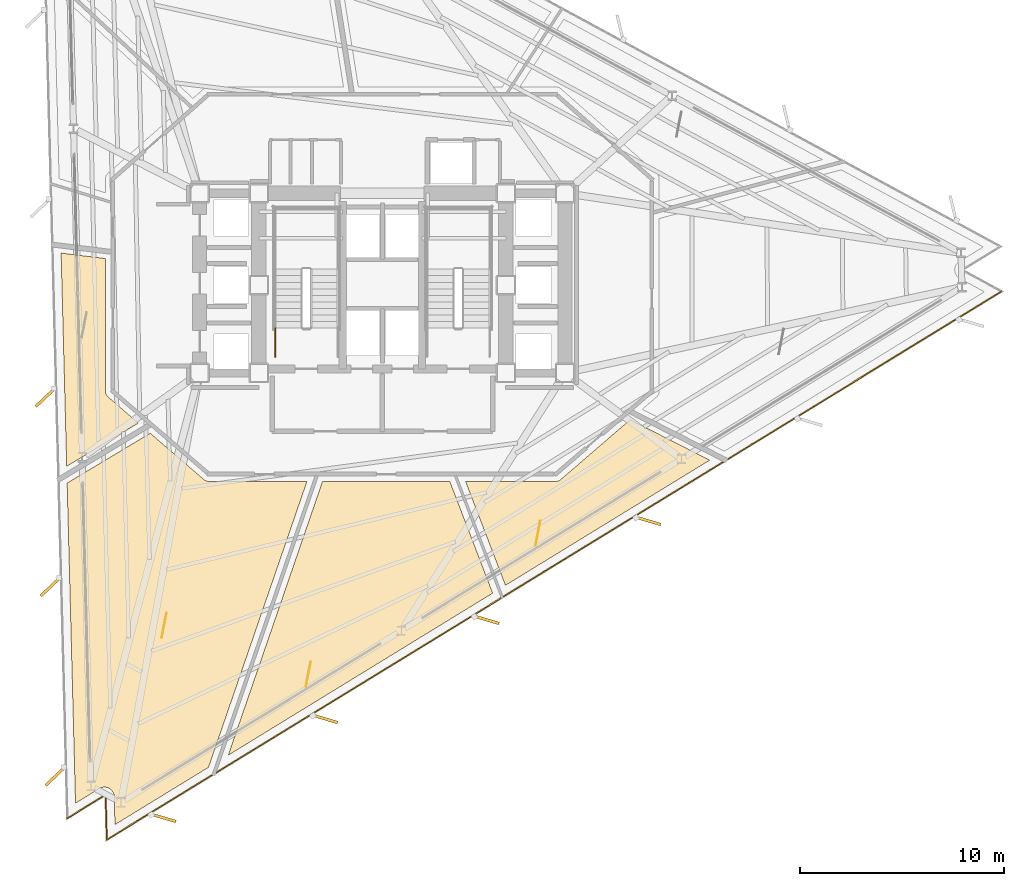
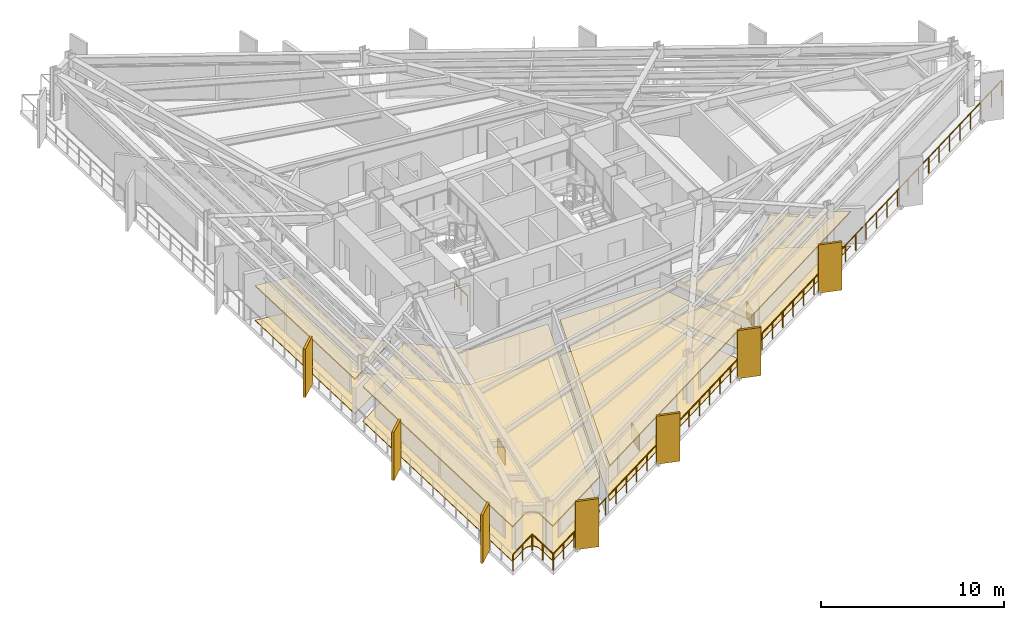
# One storey, part 10 of 14: 11 coverings, 7 shading devices, 2 railings.
"""IFC4 building model written with IfcOpenShell, lengths in metres."""

from ifc_helpers import new_model, si_unit, direction, frame, origin, origin_2d, place, context, subcontext, project, spatial, polyline, rectangle, outline, extrude, material, layer, layer_set, type_object, element, save


model = new_model("IFC4")

# Units and contexts
model_context = context("Model", 3, precision=1e-05, world=origin(), true_north=direction((0.0, 1.0)))
body_context = subcontext(model_context, "Body", "Model", "MODEL_VIEW")
ifc_project = project(units=[si_unit("LENGTHUNIT", "METRE"), si_unit("AREAUNIT", "SQUARE_METRE"), si_unit("VOLUMEUNIT", "CUBIC_METRE"), si_unit("PLANEANGLEUNIT", "RADIAN"), si_unit("MASSUNIT", "GRAM", prefix="KILO")], contexts=[model_context])

# Site, building, storey
site_placement = place(None, origin())
site = spatial("IfcSite", under=ifc_project, at=site_placement, CompositionType="ELEMENT")
building_placement = place(site_placement, origin())
building = spatial("IfcBuilding", under=site, at=building_placement, Name="Rocaltana Carrier Exchange", CompositionType="ELEMENT")
storey_placement = place(building_placement, frame((0.0, 0.0, 32.320068359375)))
storey = spatial("IfcBuildingStorey", under=building, at=storey_placement, Name="L10", CompositionType="ELEMENT", Elevation=32.320068359375)

# Coverings
ifc_material_1 = material(Name="Honed Bogota Sandstone Tile", Category="masonry")
ifc_layer_1 = layer(ifc_material_1, 0.0400390625)
ifc_layer_set_1 = layer_set([ifc_layer_1], Name="Honed Bogota Sandstone Tile")
covering_type_1 = type_object("IfcCoveringType", Name="Honed Stone Lobby Flooring 40", PredefinedType="FLOORING", material=ifc_layer_set_1)
covering_1_placement = place(storey_placement, origin())
element("IfcCovering", 1, at=covering_1_placement, inside=storey, type_object=covering_type_1, Name="L10 Peering Conference Room Finish Floor", PredefinedType="FLOORING", context=body_context, shape_type="SweptSolid", body=[
    extrude(outline(polyline([(-15.732177734375, 1.569091796875), (-13.56005859375, 1.30224609375), (-13.56005859375, -5.199951171875), (-13.559814453125, -5.21337890625), (-13.559326171875, -5.220947265625), (-13.556884765625, -5.24755859375), (-13.5556640625, -5.255126953125), (-13.550537109375, -5.281494140625), (-13.548828125, -5.288818359375), (-13.541259765625, -5.314453125), (-13.538818359375, -5.32177734375), (-13.52880859375, -5.346435546875), (-13.525634765625, -5.353515625), (-13.51318359375, -5.377197265625), (-13.509521484375, -5.3837890625), (-13.4951171875, -5.40625), (-13.490478515625, -5.41259765625), (-13.47412109375, -5.433349609375), (-13.468994140625, -5.439208984375), (-13.450439453125, -5.45849609375), (-13.44482421875, -5.4638671875), (-13.43505859375, -5.47265625), (-11.944580078125, -6.757080078125), (-15.458984375, -8.86865234375), (-15.732177734375, 1.569091796875)])), origin(), (0.0, 0.0, 1.0), 0.0400390625),
])
covering_2_placement = place(storey_placement, origin())
element("IfcCovering", 2, at=covering_2_placement, inside=storey, type_object=covering_type_1, Name="L10 Incident Briefing Room Finish Floor", PredefinedType="FLOORING", context=body_context, shape_type="SweptSolid", body=[
    extrude(outline(polyline([(-13.12939453125, -25.05224609375), (-13.1298828125, -25.038330078125), (-13.131591796875, -25.018310546875), (-13.135009765625, -24.99072265625), (-13.138427734375, -24.97119140625), (-13.144775390625, -24.94384765625), (-13.150146484375, -24.9248046875), (-13.1591796875, -24.898193359375), (-13.16650390625, -24.879638671875), (-13.177978515625, -24.854248046875), (-13.18701171875, -24.83642578125), (-13.200927734375, -24.8125), (-13.2119140625, -24.795654296875), (-13.228271484375, -24.77294921875), (-13.240478515625, -24.75732421875), (-13.259033203125, -24.736572265625), (-13.273193359375, -24.722412109375), (-13.29345703125, -24.703369140625), (-13.308837890625, -24.6904296875), (-13.3310546875, -24.673583984375), (-13.34765625, -24.66259765625), (-13.371337890625, -24.64794921875), (-13.388916015625, -24.638427734375), (-13.4140625, -24.626220703125), (-13.4326171875, -24.61865234375), (-13.458740234375, -24.609130859375), (-13.477783203125, -24.603271484375), (-13.5048828125, -24.596435546875), (-13.5244140625, -24.592529296875), (-13.552001953125, -24.58837890625), (-13.57177734375, -24.58642578125), (-13.599609375, -24.5849609375), (-13.61962890625, -24.585205078125), (-13.6474609375, -24.58642578125), (-13.66748046875, -24.58837890625), (-13.695068359375, -24.5927734375), (-13.714599609375, -24.5966796875), (-13.74169921875, -24.603515625), (-13.760498046875, -24.609619140625), (-13.786865234375, -24.619140625), (-13.80517578125, -24.626708984375), (-13.830322265625, -24.638916015625), (-13.847900390625, -24.6484375), (-13.85986328125, -24.655517578125), (-15.02685546875, -25.37060546875), (-15.437255859375, -9.695556640625), (-11.3701171875, -7.251953125), (-8.735107421875, -9.522705078125), (-8.72412109375, -9.53173828125), (-8.717529296875, -9.53662109375), (-8.6943359375, -9.552978515625), (-8.6875, -9.557373046875), (-8.66259765625, -9.571044921875), (-8.6552734375, -9.57470703125), (-8.629150390625, -9.5859375), (-8.62158203125, -9.5888671875), (-8.594482421875, -9.597412109375), (-8.58642578125, -9.599365234375), (-8.55859375, -9.60498046875), (-8.550537109375, -9.606201171875), (-8.522216796875, -9.609130859375), (-8.51416015625, -9.609619140625), (-8.5, -9.610107421875), (-3.689697265625, -9.610107421875), (-8.510986328125, -23.6123046875), (-13.093505859375, -26.42041015625), (-13.12939453125, -25.05224609375)])), origin(), (0.0, 0.0, 1.0), 0.0400390625),
])
covering_3_placement = place(storey_placement, origin())
element("IfcCovering", 3, at=covering_3_placement, inside=storey, type_object=covering_type_1, Name="L10 Peering Conference Room Finish Floor", PredefinedType="FLOORING", context=body_context, shape_type="SweptSolid", body=[
    extrude(outline(polyline([(-7.5458984375, -23.02099609375), (-2.92822265625, -9.610107421875), (3.30322265625, -9.610107421875), (5.40478515625, -15.084716796875), (-7.5458984375, -23.02099609375)])), origin(), (0.0, 0.0, 1.0), 0.0400390625),
])
covering_4_placement = place(storey_placement, origin())
element("IfcCovering", 4, at=covering_4_placement, inside=storey, type_object=covering_type_1, Name="L10 Optical Switching Laboratory Finish Floor", PredefinedType="FLOORING", context=body_context, shape_type="SweptSolid", body=[
    extrude(outline(polyline([(6.029296875, -14.7021484375), (4.074462890625, -9.610107421875), (8.5, -9.610107421875), (8.51416015625, -9.609619140625), (8.522216796875, -9.609130859375), (8.550537109375, -9.606201171875), (8.55859375, -9.60498046875), (8.58642578125, -9.599365234375), (8.594482421875, -9.597412109375), (8.62158203125, -9.5888671875), (8.629150390625, -9.5859375), (8.6552734375, -9.57470703125), (8.66259765625, -9.571044921875), (8.6875, -9.557373046875), (8.6943359375, -9.552978515625), (8.717529296875, -9.53662109375), (8.72412109375, -9.53173828125), (8.735107421875, -9.522705078125), (12.13916015625, -6.58935546875), (16.031494140625, -8.572509765625), (6.029296875, -14.7021484375)])), origin(), (0.0, 0.0, 1.0), 0.0400390625),
])
ifc_material_2 = material(Name="Anodised Aluminium 6063-T6", Category="aluminium")
ifc_layer_2 = layer(ifc_material_2, 0.0849609375)
ifc_layer_set_2 = layer_set([ifc_layer_2], Name="Anodised Aluminium 6063-T6")
covering_type_2 = type_object("IfcCoveringType", Name="Linear Baffle Acoustic Ceiling 85", PredefinedType="CEILING", material=ifc_layer_set_2)
covering_5_placement = place(storey_placement, frame((0.0, 0.0, 2.282958984375)))
element("IfcCovering", 5, at=covering_5_placement, inside=storey, type_object=covering_type_2, Name="L10 Peering Conference Room Acoustic Ceiling", PredefinedType="CEILING", context=body_context, shape_type="SweptSolid", body=[
    extrude(outline(polyline([(-15.732177734375, 1.569091796875), (-13.56005859375, 1.30224609375), (-13.56005859375, -5.199951171875), (-13.559814453125, -5.21337890625), (-13.559326171875, -5.220947265625), (-13.556884765625, -5.24755859375), (-13.5556640625, -5.255126953125), (-13.550537109375, -5.281494140625), (-13.548828125, -5.288818359375), (-13.541259765625, -5.314453125), (-13.538818359375, -5.32177734375), (-13.52880859375, -5.346435546875), (-13.525634765625, -5.353515625), (-13.51318359375, -5.377197265625), (-13.509521484375, -5.3837890625), (-13.4951171875, -5.40625), (-13.490478515625, -5.41259765625), (-13.47412109375, -5.433349609375), (-13.468994140625, -5.439208984375), (-13.450439453125, -5.45849609375), (-13.44482421875, -5.4638671875), (-13.43505859375, -5.47265625), (-11.944580078125, -6.757080078125), (-15.458984375, -8.86865234375), (-15.732177734375, 1.569091796875)])), origin(), (0.0, 0.0, 1.0), 0.0849609375),
])
covering_6_placement = place(storey_placement, frame((0.0, 0.0, 2.282958984375)))
element("IfcCovering", 6, at=covering_6_placement, inside=storey, type_object=covering_type_2, Name="L10 Incident Briefing Room Acoustic Ceiling", PredefinedType="CEILING", context=body_context, shape_type="SweptSolid", body=[
    extrude(outline(polyline([(-13.12939453125, -25.05224609375), (-13.1298828125, -25.038330078125), (-13.131591796875, -25.018310546875), (-13.135009765625, -24.99072265625), (-13.138427734375, -24.97119140625), (-13.144775390625, -24.94384765625), (-13.150146484375, -24.9248046875), (-13.1591796875, -24.898193359375), (-13.16650390625, -24.879638671875), (-13.177978515625, -24.854248046875), (-13.18701171875, -24.83642578125), (-13.200927734375, -24.8125), (-13.2119140625, -24.795654296875), (-13.228271484375, -24.77294921875), (-13.240478515625, -24.75732421875), (-13.259033203125, -24.736572265625), (-13.273193359375, -24.722412109375), (-13.29345703125, -24.703369140625), (-13.308837890625, -24.6904296875), (-13.3310546875, -24.673583984375), (-13.34765625, -24.66259765625), (-13.371337890625, -24.64794921875), (-13.388916015625, -24.638427734375), (-13.4140625, -24.626220703125), (-13.4326171875, -24.61865234375), (-13.458740234375, -24.609130859375), (-13.477783203125, -24.603271484375), (-13.5048828125, -24.596435546875), (-13.5244140625, -24.592529296875), (-13.552001953125, -24.58837890625), (-13.57177734375, -24.58642578125), (-13.599609375, -24.5849609375), (-13.61962890625, -24.585205078125), (-13.6474609375, -24.58642578125), (-13.66748046875, -24.58837890625), (-13.695068359375, -24.5927734375), (-13.714599609375, -24.5966796875), (-13.74169921875, -24.603515625), (-13.760498046875, -24.609619140625), (-13.786865234375, -24.619140625), (-13.80517578125, -24.626708984375), (-13.830322265625, -24.638916015625), (-13.847900390625, -24.6484375), (-13.85986328125, -24.655517578125), (-15.02685546875, -25.37060546875), (-15.437255859375, -9.695556640625), (-11.3701171875, -7.251953125), (-8.735107421875, -9.522705078125), (-8.72412109375, -9.53173828125), (-8.717529296875, -9.53662109375), (-8.6943359375, -9.552978515625), (-8.6875, -9.557373046875), (-8.66259765625, -9.571044921875), (-8.6552734375, -9.57470703125), (-8.629150390625, -9.5859375), (-8.62158203125, -9.5888671875), (-8.594482421875, -9.597412109375), (-8.58642578125, -9.599365234375), (-8.55859375, -9.60498046875), (-8.550537109375, -9.606201171875), (-8.522216796875, -9.609130859375), (-8.51416015625, -9.609619140625), (-8.5, -9.610107421875), (-3.689697265625, -9.610107421875), (-8.510986328125, -23.6123046875), (-13.093505859375, -26.42041015625), (-13.12939453125, -25.05224609375)])), origin(), (0.0, 0.0, 1.0), 0.0849609375),
])
covering_7_placement = place(storey_placement, frame((0.0, 0.0, 2.282958984375)))
element("IfcCovering", 7, at=covering_7_placement, inside=storey, type_object=covering_type_2, Name="L10 Peering Conference Room Acoustic Ceiling", PredefinedType="CEILING", context=body_context, shape_type="SweptSolid", body=[
    extrude(outline(polyline([(-7.5458984375, -23.02099609375), (-2.92822265625, -9.610107421875), (3.30322265625, -9.610107421875), (5.40478515625, -15.084716796875), (-7.5458984375, -23.02099609375)])), origin(), (0.0, 0.0, 1.0), 0.0849609375),
])
covering_8_placement = place(storey_placement, frame((0.0, 0.0, 2.282958984375)))
element("IfcCovering", 8, at=covering_8_placement, inside=storey, type_object=covering_type_2, Name="L10 Optical Switching Laboratory Acoustic Ceiling", PredefinedType="CEILING", context=body_context, shape_type="SweptSolid", body=[
    extrude(outline(polyline([(6.029296875, -14.7021484375), (4.074462890625, -9.610107421875), (8.5, -9.610107421875), (8.51416015625, -9.609619140625), (8.522216796875, -9.609130859375), (8.550537109375, -9.606201171875), (8.55859375, -9.60498046875), (8.58642578125, -9.599365234375), (8.594482421875, -9.597412109375), (8.62158203125, -9.5888671875), (8.629150390625, -9.5859375), (8.6552734375, -9.57470703125), (8.66259765625, -9.571044921875), (8.6875, -9.557373046875), (8.6943359375, -9.552978515625), (8.717529296875, -9.53662109375), (8.72412109375, -9.53173828125), (8.735107421875, -9.522705078125), (12.13916015625, -6.58935546875), (16.031494140625, -8.572509765625), (6.029296875, -14.7021484375)])), origin(), (0.0, 0.0, 1.0), 0.0849609375),
])

# Railing
ifc_material_3 = material(Name="Powder-Coated Aluminium 6063-T6", Category="aluminium")
ifc_layer_3 = layer(ifc_material_3, 0.048095703125)
ifc_layer_set_3 = layer_set([ifc_layer_3], Name="Powder-Coated Aluminium 6063-T6")
railing_type_1 = type_object("IfcRailingType", Name="Stair Well Guardrail 1100", PredefinedType="GUARDRAIL", material=ifc_layer_set_3)
railing_1_placement = place(storey_placement, frame((-5.25, -3.5, 0.0)))
element("IfcRailing", 9, at=railing_1_placement, inside=storey, type_object=railing_type_1, Name="L10 ST-1 stair guard 9", PredefinedType="GUARDRAIL", context=body_context, shape_type="SweptSolid", body=[
    extrude(rectangle(XDim=0.048095703125, YDim=0.048095703125, at=origin_2d()), frame((0.0, 0.0, 1.076171875), z_axis=(0.0, 1.0, 0.0), x_axis=(-1.0, 0.0, 0.0)), (0.0, 0.0, 1.0), 1.39990234375),
    extrude(rectangle(XDim=0.0419921875, YDim=0.0419921875, at=origin_2d()), origin(), (0.0, 0.0, 1.0), 1.052001953125),
    extrude(rectangle(XDim=0.0419921875, YDim=0.0419921875, at=origin_2d()), frame((0.0, 0.699951171875, 0.0)), (0.0, 0.0, 1.0), 1.052001953125),
    extrude(rectangle(XDim=0.0419921875, YDim=0.0419921875, at=origin_2d()), frame((0.0, 1.39990234375, 0.0)), (0.0, 0.0, 1.0), 1.052001953125),
])

# Coverings
ifc_material_4 = material(Name="Honed Piedra Muneca Sandstone", Category="masonry")
ifc_layer_4 = layer(ifc_material_4, 0.034912109375)
ifc_layer_set_4 = layer_set([ifc_layer_4], Name="Honed Piedra Muneca Sandstone")
covering_type_3 = type_object("IfcCoveringType", Name="Stone Facade Cladding 35", PredefinedType="CLADDING", material=ifc_layer_set_4)
for number, where, z_axis, x_axis, name in (
    (10, (-10.68505859375, -16.654052734375, 0.0), (0.0, 0.0, 1.0), (0.190808995377, 0.981627183448, 0.0), "L10 Stone Facade Cladding Panel 2"),
    (11, (-3.625, -19.052734375, 0.0), (0.0, 0.0, 1.0), (0.190808995377, 0.981627183448, 0.0), "L10 Stone Facade Cladding Panel 3"),
    (12, (7.617919921875, -12.156005859375, 0.0), (0.0, 0.0, 1.0), (0.190808995377, 0.981627183448, 0.0), "L10 Stone Facade Cladding Panel 4"),
):
    element("IfcCovering", number, at=place(storey_placement, frame(where, z_axis=z_axis, x_axis=x_axis)), inside=storey, type_object=covering_type_3, Name=name, PredefinedType="CLADDING", context=body_context, shape_type="SweptSolid", body=[
        extrude(rectangle(XDim=1.25, YDim=0.034912109375, at=origin_2d()), origin(), (0.0, 0.0, 1.0), 1.050048828125),
    ])

# Shading devices
ifc_material_5 = material(Name="Honed Bogota Sandstone & Concrete C45/55", Category="masonry")
ifc_layer_5 = layer(ifc_material_5, 0.139892578125)
ifc_layer_set_5 = layer_set([ifc_layer_5], Name="Honed Bogota Sandstone & Concrete C45/55")
shading_device_type = type_object("IfcShadingDeviceType", Name="Vertical Sandstone Shading Fin 1320x140", PredefinedType="USERDEFINED", material=ifc_layer_set_5)
for number, where, z_axis, x_axis, name in (
    (13, (-16.488525390625, -5.48828125, -0.1201171875), (0.0, 0.0, 1.0), (-0.725374371012, -0.688354575694, 0.0), "L10 Sandstone Vertical Fin F2-04"),
    (14, (-16.24560546875, -14.76513671875, -0.1201171875), (0.0, 0.0, 1.0), (-0.725374371012, -0.688354575694, 0.0), "L10 Sandstone Vertical Fin F2-05"),
    (15, (-16.002685546875, -24.0419921875, -0.1201171875), (0.0, 0.0, 1.0), (-0.725374371012, -0.688354575694, 0.0), "L10 Sandstone Vertical Fin F2-06"),
    (16, (-10.740234375, -26.081787109375, -0.1201171875), (0.0, 0.0, 1.0), (0.958819734868, -0.284015344704, 0.0), "L10 Sandstone Vertical Fin F3-01"),
    (17, (-2.82763671875, -21.23291015625, -0.1201171875), (0.0, 0.0, 1.0), (0.958819734868, -0.284015344704, 0.0), "L10 Sandstone Vertical Fin F3-02"),
    (18, (5.084716796875, -16.384033203125, -0.1201171875), (0.0, 0.0, 1.0), (0.958819734868, -0.284015344704, 0.0), "L10 Sandstone Vertical Fin F3-03"),
    (19, (12.997314453125, -11.535400390625, -0.1201171875), (0.0, 0.0, 1.0), (0.958819734868, -0.284015344704, 0.0), "L10 Sandstone Vertical Fin F3-04"),
):
    element("IfcShadingDevice", number, at=place(storey_placement, frame(where, z_axis=z_axis, x_axis=x_axis)), inside=storey, type_object=shading_device_type, Name=name, ObjectType="FIN", PredefinedType="USERDEFINED", context=body_context, shape_type="SweptSolid", body=[
        extrude(rectangle(XDim=1.320068359375, YDim=0.139892578125, at=origin_2d()), origin(), (0.0, 0.0, 1.0), 3.218017578125),
    ])

# Railing
ifc_material_6 = material(Name="Powder-Coated Aluminium 6063-T6", Category="aluminium")
ifc_layer_6 = layer(ifc_material_6, 0.06005859375)
ifc_layer_set_6 = layer_set([ifc_layer_6], Name="Powder-Coated Aluminium 6063-T6")
railing_type_2 = type_object("IfcRailingType", Name="Wind-Floor & Terrace Perimeter Guardrail 1100", PredefinedType="GUARDRAIL", material=ifc_layer_set_6)
railing_2_placement = place(storey_placement, frame((30.32470703125, -0.306396484375, 0.0)))
element("IfcRailing", 20, at=railing_2_placement, inside=storey, type_object=railing_type_2, Name="L10 Perimeter Balcony Guardrail 1", PredefinedType="GUARDRAIL", context=body_context, shape_type="SweptSolid", body=[
    extrude(rectangle(XDim=0.048095703125, YDim=0.048095703125, at=origin_2d()), frame((0.0, 0.0, 1.076171875), z_axis=(-0.852639552838, -0.522499562619, 0.0), x_axis=(0.522499562619, -0.852639552838, 0.0)), (0.0, 0.0, 1.0), 51.39208984375),
    extrude(rectangle(XDim=0.048095703125, YDim=0.048095703125, at=origin_2d()), frame((-43.81884765625, -26.852294921875, 1.076171875), z_axis=(-0.026187042546, 0.999657060598, 0.0), x_axis=(-0.999657060598, -0.026187042546, 0.0)), (0.0, 0.0, 1.0), 2.2001953125),
    extrude(rectangle(XDim=0.048095703125, YDim=0.048095703125, at=origin_2d()), frame((-43.87646484375, -24.65283203125, 1.076171875), z_axis=(-0.852598062579, -0.522567262356, 0.0), x_axis=(0.522567262356, -0.852598062579, 0.0)), (0.0, 0.0, 1.0), 2.199951171875),
    extrude(rectangle(XDim=0.0419921875, YDim=0.0419921875, at=origin_2d()), origin(), (0.0, 0.0, 1.0), 1.052001953125),
    extrude(rectangle(XDim=0.0419921875, YDim=0.0419921875, at=origin_2d()), frame((-1.01904296875, -0.62451171875, 0.0)), (0.0, 0.0, 1.0), 1.052001953125),
    extrude(rectangle(XDim=0.0419921875, YDim=0.0419921875, at=origin_2d()), frame((-2.0380859375, -1.2490234375, 0.0)), (0.0, 0.0, 1.0), 1.052001953125),
    extrude(rectangle(XDim=0.0419921875, YDim=0.0419921875, at=origin_2d()), frame((-3.05712890625, -1.87353515625, 0.0)), (0.0, 0.0, 1.0), 1.052001953125),
    extrude(rectangle(XDim=0.0419921875, YDim=0.0419921875, at=origin_2d()), frame((-4.076171875, -2.497802734375, 0.0)), (0.0, 0.0, 1.0), 1.052001953125),
    extrude(rectangle(XDim=0.0419921875, YDim=0.0419921875, at=origin_2d()), frame((-5.09521484375, -3.122314453125, 0.0)), (0.0, 0.0, 1.0), 1.052001953125),
    extrude(rectangle(XDim=0.0419921875, YDim=0.0419921875, at=origin_2d()), frame((-6.1142578125, -3.746826171875, 0.0)), (0.0, 0.0, 1.0), 1.052001953125),
    extrude(rectangle(XDim=0.0419921875, YDim=0.0419921875, at=origin_2d()), frame((-7.13330078125, -4.371337890625, 0.0)), (0.0, 0.0, 1.0), 1.052001953125),
    extrude(rectangle(XDim=0.0419921875, YDim=0.0419921875, at=origin_2d()), frame((-8.15234375, -4.995849609375, 0.0)), (0.0, 0.0, 1.0), 1.052001953125),
    extrude(rectangle(XDim=0.0419921875, YDim=0.0419921875, at=origin_2d()), frame((-9.17138671875, -5.620361328125, 0.0)), (0.0, 0.0, 1.0), 1.052001953125),
    extrude(rectangle(XDim=0.0419921875, YDim=0.0419921875, at=origin_2d()), frame((-10.1904296875, -6.24462890625, 0.0)), (0.0, 0.0, 1.0), 1.052001953125),
    extrude(rectangle(XDim=0.0419921875, YDim=0.0419921875, at=origin_2d()), frame((-11.20947265625, -6.869140625, 0.0)), (0.0, 0.0, 1.0), 1.052001953125),
    extrude(rectangle(XDim=0.0419921875, YDim=0.0419921875, at=origin_2d()), frame((-12.228515625, -7.49365234375, 0.0)), (0.0, 0.0, 1.0), 1.052001953125),
    extrude(rectangle(XDim=0.0419921875, YDim=0.0419921875, at=origin_2d()), frame((-13.24755859375, -8.1181640625, 0.0)), (0.0, 0.0, 1.0), 1.052001953125),
    extrude(rectangle(XDim=0.0419921875, YDim=0.0419921875, at=origin_2d()), frame((-14.2666015625, -8.74267578125, 0.0)), (0.0, 0.0, 1.0), 1.052001953125),
    extrude(rectangle(XDim=0.0419921875, YDim=0.0419921875, at=origin_2d()), frame((-15.28564453125, -9.3671875, 0.0)), (0.0, 0.0, 1.0), 1.052001953125),
    extrude(rectangle(XDim=0.0419921875, YDim=0.0419921875, at=origin_2d()), frame((-16.3046875, -9.991455078125, 0.0)), (0.0, 0.0, 1.0), 1.052001953125),
    extrude(rectangle(XDim=0.0419921875, YDim=0.0419921875, at=origin_2d()), frame((-17.32373046875, -10.615966796875, 0.0)), (0.0, 0.0, 1.0), 1.052001953125),
    extrude(rectangle(XDim=0.0419921875, YDim=0.0419921875, at=origin_2d()), frame((-18.3427734375, -11.240478515625, 0.0)), (0.0, 0.0, 1.0), 1.052001953125),
    extrude(rectangle(XDim=0.0419921875, YDim=0.0419921875, at=origin_2d()), frame((-19.36181640625, -11.864990234375, 0.0)), (0.0, 0.0, 1.0), 1.052001953125),
    extrude(rectangle(XDim=0.0419921875, YDim=0.0419921875, at=origin_2d()), frame((-20.380859375, -12.489501953125, 0.0)), (0.0, 0.0, 1.0), 1.052001953125),
    extrude(rectangle(XDim=0.0419921875, YDim=0.0419921875, at=origin_2d()), frame((-21.39990234375, -13.114013671875, 0.0)), (0.0, 0.0, 1.0), 1.052001953125),
    extrude(rectangle(XDim=0.0419921875, YDim=0.0419921875, at=origin_2d()), frame((-22.4189453125, -13.73828125, 0.0)), (0.0, 0.0, 1.0), 1.052001953125),
    extrude(rectangle(XDim=0.0419921875, YDim=0.0419921875, at=origin_2d()), frame((-23.43798828125, -14.36279296875, 0.0)), (0.0, 0.0, 1.0), 1.052001953125),
    extrude(rectangle(XDim=0.0419921875, YDim=0.0419921875, at=origin_2d()), frame((-24.45703125, -14.9873046875, 0.0)), (0.0, 0.0, 1.0), 1.052001953125),
    extrude(rectangle(XDim=0.0419921875, YDim=0.0419921875, at=origin_2d()), frame((-25.47607421875, -15.61181640625, 0.0)), (0.0, 0.0, 1.0), 1.052001953125),
    extrude(rectangle(XDim=0.0419921875, YDim=0.0419921875, at=origin_2d()), frame((-26.4951171875, -16.236328125, 0.0)), (0.0, 0.0, 1.0), 1.052001953125),
    extrude(rectangle(XDim=0.0419921875, YDim=0.0419921875, at=origin_2d()), frame((-27.51416015625, -16.86083984375, 0.0)), (0.0, 0.0, 1.0), 1.052001953125),
    extrude(rectangle(XDim=0.0419921875, YDim=0.0419921875, at=origin_2d()), frame((-28.533203125, -17.485107421875, 0.0)), (0.0, 0.0, 1.0), 1.052001953125),
    extrude(rectangle(XDim=0.0419921875, YDim=0.0419921875, at=origin_2d()), frame((-29.55224609375, -18.109619140625, 0.0)), (0.0, 0.0, 1.0), 1.052001953125),
    extrude(rectangle(XDim=0.0419921875, YDim=0.0419921875, at=origin_2d()), frame((-30.5712890625, -18.734130859375, 0.0)), (0.0, 0.0, 1.0), 1.052001953125),
    extrude(rectangle(XDim=0.0419921875, YDim=0.0419921875, at=origin_2d()), frame((-31.59033203125, -19.358642578125, 0.0)), (0.0, 0.0, 1.0), 1.052001953125),
    extrude(rectangle(XDim=0.0419921875, YDim=0.0419921875, at=origin_2d()), frame((-32.609375, -19.983154296875, 0.0)), (0.0, 0.0, 1.0), 1.052001953125),
    extrude(rectangle(XDim=0.0419921875, YDim=0.0419921875, at=origin_2d()), frame((-33.62841796875, -20.607666015625, 0.0)), (0.0, 0.0, 1.0), 1.052001953125),
    extrude(rectangle(XDim=0.0419921875, YDim=0.0419921875, at=origin_2d()), frame((-34.6474609375, -21.23193359375, 0.0)), (0.0, 0.0, 1.0), 1.052001953125),
    extrude(rectangle(XDim=0.0419921875, YDim=0.0419921875, at=origin_2d()), frame((-35.66650390625, -21.8564453125, 0.0)), (0.0, 0.0, 1.0), 1.052001953125),
    extrude(rectangle(XDim=0.0419921875, YDim=0.0419921875, at=origin_2d()), frame((-36.685546875, -22.48095703125, 0.0)), (0.0, 0.0, 1.0), 1.052001953125),
    extrude(rectangle(XDim=0.0419921875, YDim=0.0419921875, at=origin_2d()), frame((-37.70458984375, -23.10546875, 0.0)), (0.0, 0.0, 1.0), 1.052001953125),
    extrude(rectangle(XDim=0.0419921875, YDim=0.0419921875, at=origin_2d()), frame((-38.7236328125, -23.72998046875, 0.0)), (0.0, 0.0, 1.0), 1.052001953125),
    extrude(rectangle(XDim=0.0419921875, YDim=0.0419921875, at=origin_2d()), frame((-39.74267578125, -24.3544921875, 0.0)), (0.0, 0.0, 1.0), 1.052001953125),
    extrude(rectangle(XDim=0.0419921875, YDim=0.0419921875, at=origin_2d()), frame((-40.76171875, -24.978759765625, 0.0)), (0.0, 0.0, 1.0), 1.052001953125),
    extrude(rectangle(XDim=0.0419921875, YDim=0.0419921875, at=origin_2d()), frame((-41.78076171875, -25.603271484375, 0.0)), (0.0, 0.0, 1.0), 1.052001953125),
    extrude(rectangle(XDim=0.0419921875, YDim=0.0419921875, at=origin_2d()), frame((-42.7998046875, -26.227783203125, 0.0)), (0.0, 0.0, 1.0), 1.052001953125),
    extrude(rectangle(XDim=0.0419921875, YDim=0.0419921875, at=origin_2d()), frame((-43.81884765625, -26.852294921875, 0.0)), (0.0, 0.0, 1.0), 1.052001953125),
    extrude(rectangle(XDim=0.0419921875, YDim=0.0419921875, at=origin_2d()), frame((-43.84765625, -25.75244140625, 0.0)), (0.0, 0.0, 1.0), 1.052001953125),
    extrude(rectangle(XDim=0.0419921875, YDim=0.0419921875, at=origin_2d()), frame((-43.87646484375, -24.65283203125, 0.0)), (0.0, 0.0, 1.0), 1.052001953125),
    extrude(rectangle(XDim=0.0419921875, YDim=0.0419921875, at=origin_2d()), frame((-44.814453125, -25.2275390625, 0.0)), (0.0, 0.0, 1.0), 1.052001953125),
    extrude(rectangle(XDim=0.0419921875, YDim=0.0419921875, at=origin_2d()), frame((-45.752197265625, -25.802490234375, 0.0)), (0.0, 0.0, 1.0), 1.052001953125),
])

save(model, "model.ifc")
